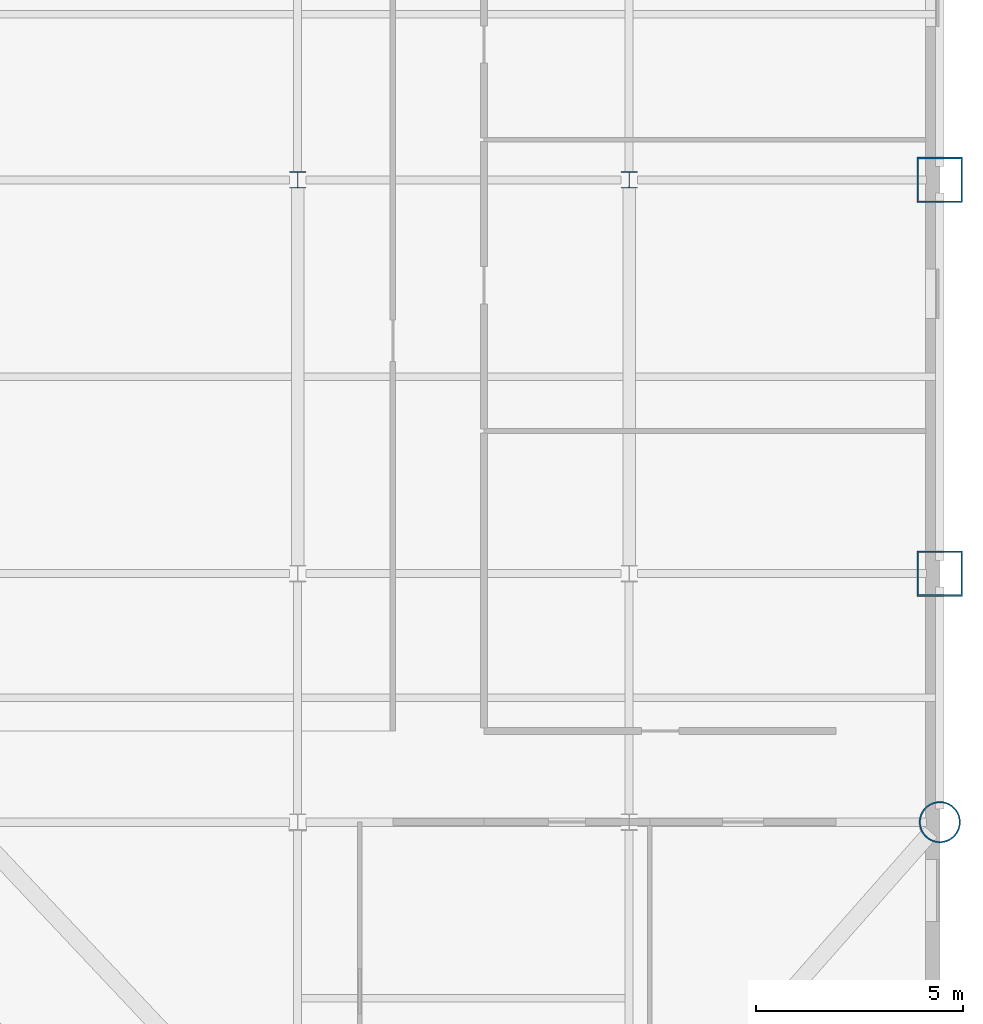
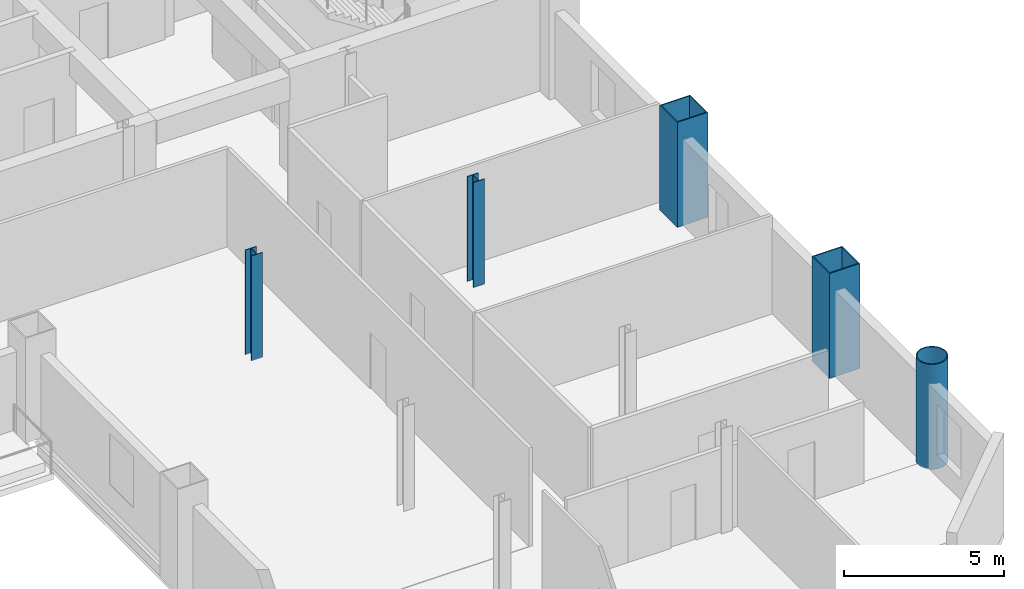
# One storey, part 2 of 10: 5 columns.
"""IFC4 building model written with IfcOpenShell, lengths in metres."""

from ifc_helpers import new_model, si_unit, direction, frame, origin, origin_2d, place, context, subcontext, project, spatial, hollow_rectangle, hollow_circle, i_section, extrude, material, material_profile, profile_set, type_object, element, save


model = new_model("IFC4")

# Units and contexts
model_context = context("Model", 3, precision=1e-05, world=origin(), true_north=direction((0.0, 1.0)))
body_context = subcontext(model_context, "Body", "Model", "MODEL_VIEW")
ifc_project = project(units=[si_unit("LENGTHUNIT", "METRE"), si_unit("AREAUNIT", "SQUARE_METRE"), si_unit("VOLUMEUNIT", "CUBIC_METRE"), si_unit("PLANEANGLEUNIT", "RADIAN"), si_unit("MASSUNIT", "GRAM", prefix="KILO")], contexts=[model_context])

# Site, building, storey
site_placement = place(None, origin())
site = spatial("IfcSite", under=ifc_project, at=site_placement, CompositionType="ELEMENT")
building_placement = place(site_placement, origin())
building = spatial("IfcBuilding", under=site, at=building_placement, Name="Qianrong Seaharbour Tower", CompositionType="ELEMENT")
storey_placement = place(building_placement, frame((0.0, 0.0, 187.0)))
storey = spatial("IfcBuildingStorey", under=building, at=storey_placement, Name="L45", CompositionType="ELEMENT", Elevation=187.0)

# Columns
ifc_material = material(Name="Structural steel SN490B", Category="steel")
ifc_material_profile_1 = material_profile(ifc_material, hollow_rectangle(XDim=1.10009765625, YDim=1.10009765625, WallThickness=0.0400390625, at=origin_2d()), Name="BOX1100x1100x40")
ifc_profile_set_1 = profile_set([ifc_material_profile_1], Name="Structural steel SN490B")
column_type_1 = type_object("IfcColumnType", Name="COL-CFT-1100", PredefinedType="COLUMN", material=ifc_profile_set_1)
for number, where, z_axis, x_axis, name in (
    (1, (64.0, 18.5, 0.0), (0.0, 0.0, 1.0), (1.0, 0.0, 0.0), "L45 Column MC-3 at G9/GD"),
    (2, (64.0, 28.0, 0.0), (0.0, 0.0, 1.0), (1.0, 0.0, 0.0), "L45 Column MC-3 at G9/GE"),
):
    element("IfcColumn", number, at=place(storey_placement, frame(where, z_axis=z_axis, x_axis=x_axis)), inside=storey, type_object=column_type_1, Name=name, PredefinedType="COLUMN", context=body_context, shape_type="SweptSolid", body=[
        extrude(hollow_rectangle(XDim=1.10009765625, YDim=1.10009765625, WallThickness=0.0400390625, at=origin_2d()), origin(), (0.0, 0.0, 1.0), 4.0),
    ])
ifc_material_profile_2 = material_profile(ifc_material, hollow_circle(Radius=0.5, WallThickness=0.035888671875, at=origin_2d()), Name="CHS1000x36")
ifc_profile_set_2 = profile_set([ifc_material_profile_2], Name="Structural steel SN490B")
column_type_2 = type_object("IfcColumnType", Name="COL-CHS-1000", PredefinedType="COLUMN", material=ifc_profile_set_2)
column_placement = place(storey_placement, frame((64.0, 12.5, 0.0), z_axis=(0.0, 0.0, 1.0), x_axis=(1.0, 0.0, 0.0)))
element("IfcColumn", 3, at=column_placement, inside=storey, type_object=column_type_2, Name="L45 Column CC-2 at G9/GC", PredefinedType="COLUMN", context=body_context, shape_type="SweptSolid", body=[
    extrude(hollow_circle(Radius=0.5, WallThickness=0.035888671875, at=origin_2d()), origin(), (0.0, 0.0, 1.0), 4.0),
])
ifc_material_profile_3 = material_profile(ifc_material, i_section(OverallWidth=0.39990234375, OverallDepth=0.39990234375, WebThickness=0.012939453125, FlangeThickness=0.02099609375, FilletRadius=0.02197265625, at=origin_2d()), Name="H400x400x13x21")
ifc_profile_set_3 = profile_set([ifc_material_profile_3], Name="Structural steel SN490B")
column_type_3 = type_object("IfcColumnType", Name="COL-INT-H400", PredefinedType="COLUMN", material=ifc_profile_set_3)
for number, where, z_axis, x_axis, name in (
    (4, (48.5, 28.0, 0.0), (0.0, 0.0, 1.0), (1.0, 0.0, 0.0), "L45 Column IC-3 at G7/GE"),
    (5, (56.5, 28.0, 0.0), (0.0, 0.0, 1.0), (1.0, 0.0, 0.0), "L45 Column IC-3 at G8/GE"),
):
    element("IfcColumn", number, at=place(storey_placement, frame(where, z_axis=z_axis, x_axis=x_axis)), inside=storey, type_object=column_type_3, Name=name, PredefinedType="COLUMN", context=body_context, shape_type="SweptSolid", body=[
        extrude(i_section(OverallWidth=0.39990234375, OverallDepth=0.39990234375, WebThickness=0.012939453125, FlangeThickness=0.02099609375, FilletRadius=0.02197265625, at=origin_2d()), origin(), (0.0, 0.0, 1.0), 4.0),
    ])

save(model, "model.ifc")
